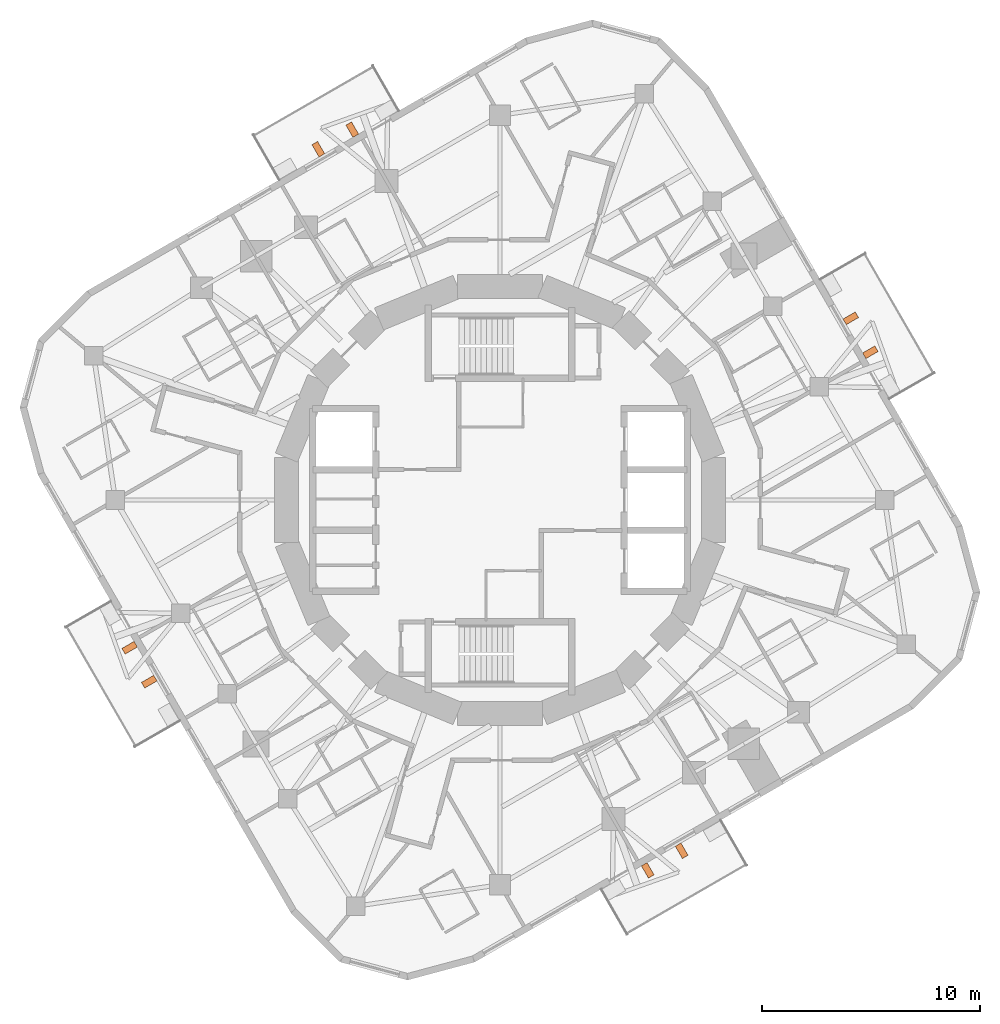
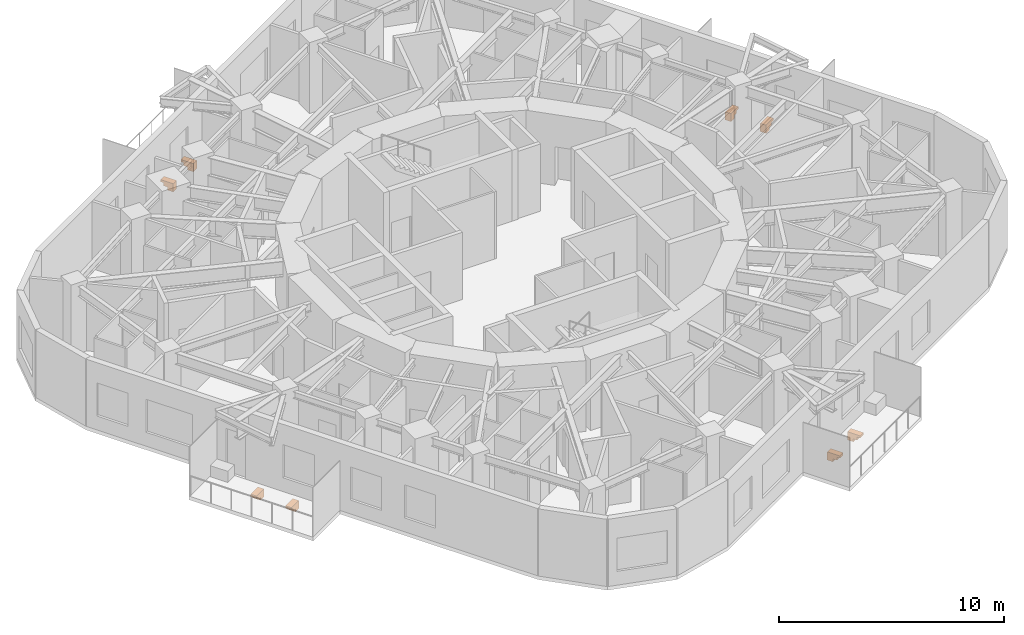
# One storey, part 11 of 11: 8 proxies.
"""IFC4 building model written with IfcOpenShell, lengths in metres."""

from ifc_helpers import new_model, si_unit, direction, frame, origin, place, context, subcontext, project, spatial, polyline, outline, extrude, material, type_object, element, save


model = new_model("IFC4")

# Units and contexts
model_context = context("Model", 3, precision=1e-05, world=origin(), true_north=direction((0.0, 1.0)))
body_context = subcontext(model_context, "Body", "Model", "MODEL_VIEW")
ifc_project = project(units=[si_unit("LENGTHUNIT", "METRE"), si_unit("AREAUNIT", "SQUARE_METRE"), si_unit("VOLUMEUNIT", "CUBIC_METRE"), si_unit("PLANEANGLEUNIT", "RADIAN"), si_unit("MASSUNIT", "GRAM", prefix="KILO")], contexts=[model_context])

# Site, building, storey
site_placement = place(None, origin())
site = spatial("IfcSite", under=ifc_project, at=site_placement, CompositionType="ELEMENT")
building_placement = place(site_placement, origin())
building = spatial("IfcBuilding", under=site, at=building_placement, Name="Nakasero Lantern House", CompositionType="ELEMENT")
storey_placement = place(building_placement, frame((0.0, 0.0, 238.5)))
storey = spatial("IfcBuildingStorey", under=building, at=storey_placement, Name="L58", CompositionType="ELEMENT", Elevation=238.5)

# Proxies
ifc_material = material(Name="Concrete C40/50 precast", Category="concrete")
building_element_proxy_type = type_object("IfcBuildingElementProxyType", Name="Balcony bracket 300", PredefinedType="USERDEFINED", material=ifc_material)
for number, where, z_axis, x_axis, name in (
    (1, (16.7294921875, 6.62353515625, -0.199951171875), (0.0, 0.0, 1.0), (0.866025404, 0.5, 0.0), "Balcony bracket L58 0A"),
    (2, (15.82958984375, 8.182373046875, -0.199951171875), (0.0, 0.0, 1.0), (0.866025404, 0.5, 0.0), "Balcony bracket L58 0B"),
    (3, (-6.62353515625, 16.7294921875, -0.199951171875), (0.0, 0.0, 1.0), (-0.5, 0.866025404, 0.0), "Balcony bracket L58 1A"),
    (4, (-8.182373046875, 15.82958984375, -0.199951171875), (0.0, 0.0, 1.0), (-0.5, 0.866025404, 0.0), "Balcony bracket L58 1B"),
    (5, (-16.7294921875, -6.62353515625, -0.199951171875), (0.0, 0.0, 1.0), (-0.866025404, -0.5, 0.0), "Balcony bracket L58 2A"),
    (6, (-15.82958984375, -8.182373046875, -0.199951171875), (0.0, 0.0, 1.0), (-0.866025404, -0.5, 0.0), "Balcony bracket L58 2B"),
    (7, (6.62353515625, -16.7294921875, -0.199951171875), (0.0, 0.0, 1.0), (0.5, -0.866025404, 0.0), "Balcony bracket L58 3A"),
    (8, (8.182373046875, -15.82958984375, -0.199951171875), (0.0, 0.0, 1.0), (0.5, -0.866025404, 0.0), "Balcony bracket L58 3B"),
):
    element("IfcBuildingElementProxy", number, at=place(storey_placement, frame(where, z_axis=z_axis, x_axis=x_axis)), inside=storey, type_object=building_element_proxy_type, Name=name, ObjectType="BALCONY BRACKET", PredefinedType="USERDEFINED", context=body_context, shape_type="SweptSolid", body=[
        extrude(outline(polyline([(0.0, 0.0), (0.64990234375, 0.0), (0.64990234375, -0.1201171875), (0.5, -0.1201171875), (0.5, -0.280029296875), (0.300048828125, -0.280029296875), (0.300048828125, -0.43994140625), (0.0, -0.43994140625), (0.0, 0.0)])), frame((0.0, 0.14990234375, 0.0), z_axis=(0.0, -1.0, 0.0), x_axis=(1.0, 0.0, 0.0)), (0.0, 0.0, 1.0), 0.300048828125),
    ])

save(model, "model.ifc")
